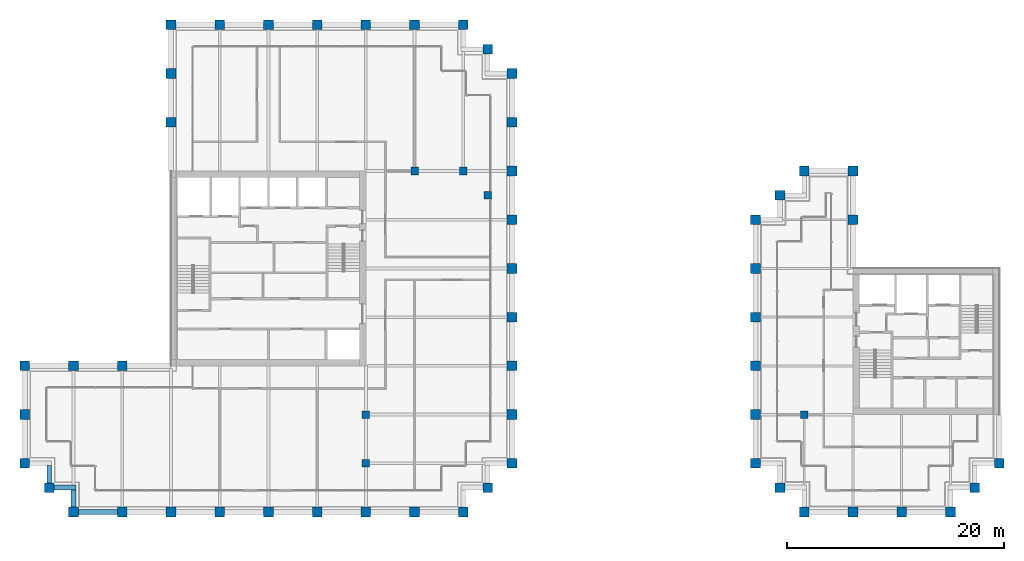
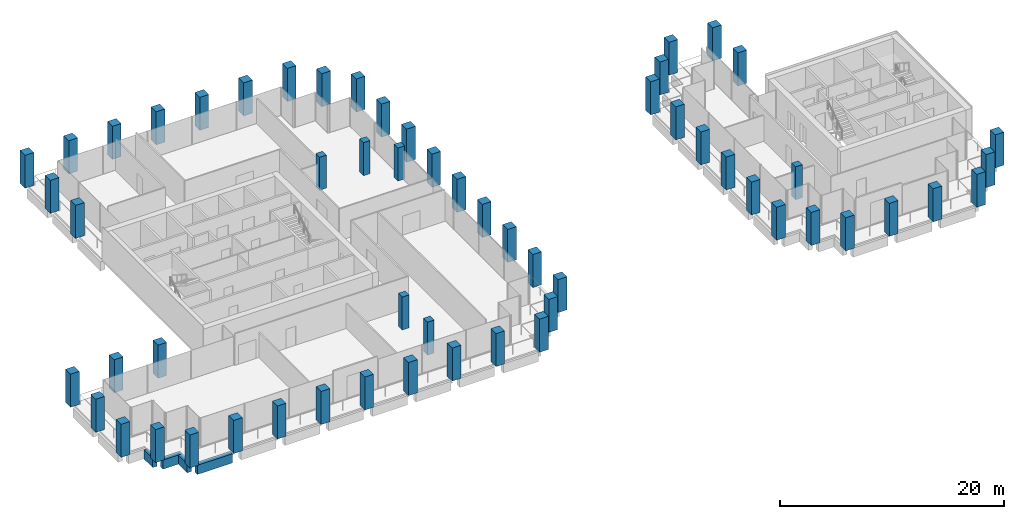
# One storey, part 1 of 40: 58 columns, 4 beams.
"""IFC4 building model written with IfcOpenShell, lengths in metres."""

from ifc_helpers import new_model, si_unit, direction, frame, origin, origin_2d, place, context, subcontext, project, spatial, rectangle, extrude, material, material_profile, profile_set, type_object, element, save


model = new_model("IFC4")

# Units and contexts
model_context = context("Model", 3, precision=1e-05, world=origin(), true_north=direction((0.0, 1.0)))
body_context = subcontext(model_context, "Body", "Model", "MODEL_VIEW")
ifc_project = project(units=[si_unit("LENGTHUNIT", "METRE"), si_unit("AREAUNIT", "SQUARE_METRE"), si_unit("VOLUMEUNIT", "CUBIC_METRE"), si_unit("PLANEANGLEUNIT", "RADIAN"), si_unit("MASSUNIT", "GRAM", prefix="KILO")], contexts=[model_context])

# Site, building, storey
site_placement = place(None, origin())
site = spatial("IfcSite", under=ifc_project, at=site_placement, CompositionType="ELEMENT")
building_placement = place(site_placement, origin())
building = spatial("IfcBuilding", under=site, at=building_placement, Name="Altepetl Exchange Towers", CompositionType="ELEMENT")
storey_placement = place(building_placement, frame((0.0, 0.0, 158.199951171875)))
storey = spatial("IfcBuildingStorey", under=building, at=storey_placement, Name="L39", CompositionType="ELEMENT", Elevation=158.199951171875)

# Columns
ifc_material_1 = material(Name="Concrete C70/85", Category="concrete")
ifc_material_profile_1 = material_profile(ifc_material_1, rectangle(XDim=0.699951171875, YDim=0.699951171875, at=origin_2d()), Name="700 x 700")
ifc_profile_set_1 = profile_set([ifc_material_profile_1], Name="Concrete C70/85")
column_type_1 = type_object("IfcColumnType", Name="Interior column 700", PredefinedType="COLUMN", material=ifc_profile_set_1)
for number, where, name in (
    (1, (58.5, 31.5, 0.0), "col:A:L39:035"),
    (2, (58.5, 36.0, 0.0), "col:A:L39:036"),
    (3, (63.0, 58.5, 0.0), "col:A:L39:037"),
    (4, (67.5, 58.5, 0.0), "col:A:L39:038"),
    (5, (69.75, 56.25, 0.0), "col:A:L39:039"),
    (6, (99.0, 36.0, 0.0), "col:B:L39:017"),
):
    element("IfcColumn", number, at=place(storey_placement, frame(where)), inside=storey, type_object=column_type_1, Name=name, PredefinedType="COLUMN", context=body_context, shape_type="SweptSolid", body=[
        extrude(rectangle(XDim=0.699951171875, YDim=0.699951171875, at=origin_2d()), origin(), (0.0, 0.0, 1.0), 3.60009765625),
    ])
ifc_material_2 = material(Name="Concrete C70/85 precast with cantera amarilla facing", Category="concrete")
ifc_material_profile_2 = material_profile(ifc_material_2, rectangle(XDim=0.89990234375, YDim=0.89990234375, at=origin_2d()), Name="900 x 900")
ifc_profile_set_2 = profile_set([ifc_material_profile_2], Name="Concrete C70/85 precast with cantera amarilla facing")
column_type_2 = type_object("IfcColumnType", Name="Perimeter column 900 cantera amarilla", PredefinedType="COLUMN", material=ifc_profile_set_2)
for number, where, name in (
    (7, (58.5, 27.0, 0.0), "col:A:L39:006"),
    (8, (63.0, 27.0, 0.0), "col:A:L39:007"),
    (9, (67.5, 27.0, 0.0), "col:A:L39:008"),
    (10, (69.75, 29.25, 0.0), "col:A:L39:009"),
    (11, (72.0, 31.5, 0.0), "col:A:L39:010"),
    (12, (72.0, 36.0, 0.0), "col:A:L39:011"),
    (13, (72.0, 40.5, 0.0), "col:A:L39:012"),
    (14, (72.0, 45.0, 0.0), "col:A:L39:013"),
    (15, (72.0, 49.5, 0.0), "col:A:L39:014"),
    (16, (72.0, 54.0, 0.0), "col:A:L39:015"),
):
    element("IfcColumn", number, at=place(storey_placement, frame(where)), inside=storey, type_object=column_type_2, Name=name, PredefinedType="COLUMN", context=body_context, shape_type="SweptSolid", body=[
        extrude(rectangle(XDim=0.89990234375, YDim=0.89990234375, at=origin_2d()), origin(), (0.0, 0.0, 1.0), 3.60009765625),
    ])
ifc_material_3 = material(Name="Concrete C70/85 precast with cantera blanca facing", Category="concrete")
ifc_material_profile_3 = material_profile(ifc_material_3, rectangle(XDim=0.89990234375, YDim=0.89990234375, at=origin_2d()), Name="900 x 900")
ifc_profile_set_3 = profile_set([ifc_material_profile_3], Name="Concrete C70/85 precast with cantera blanca facing")
column_type_3 = type_object("IfcColumnType", Name="Perimeter column 900 cantera blanca", PredefinedType="COLUMN", material=ifc_profile_set_3)
for number, where, name in (
    (17, (31.5, 27.0, 0.0), "col:A:L39:000"),
    (18, (36.0, 27.0, 0.0), "col:A:L39:001"),
    (19, (40.5, 27.0, 0.0), "col:A:L39:002"),
    (20, (45.0, 27.0, 0.0), "col:A:L39:003"),
    (21, (49.5, 27.0, 0.0), "col:A:L39:004"),
    (22, (54.0, 27.0, 0.0), "col:A:L39:005"),
    (23, (27.0, 36.0, 0.0), "col:A:L39:032"),
    (24, (27.0, 31.5, 0.0), "col:A:L39:033"),
    (25, (29.25, 29.25, 0.0), "col:A:L39:034"),
    (26, (117.0, 31.5, 0.0), "col:B:L39:005"),
):
    element("IfcColumn", number, at=place(storey_placement, frame(where)), inside=storey, type_object=column_type_3, Name=name, PredefinedType="COLUMN", context=body_context, shape_type="SweptSolid", body=[
        extrude(rectangle(XDim=0.89990234375, YDim=0.89990234375, at=origin_2d()), origin(), (0.0, 0.0, 1.0), 3.60009765625),
    ])
ifc_material_4 = material(Name="Concrete C70/85 precast with cantera rosa facing", Category="concrete")
ifc_material_profile_4 = material_profile(ifc_material_4, rectangle(XDim=0.89990234375, YDim=0.89990234375, at=origin_2d()), Name="900 x 900")
ifc_profile_set_4 = profile_set([ifc_material_profile_4], Name="Concrete C70/85 precast with cantera rosa facing")
column_type_4 = type_object("IfcColumnType", Name="Perimeter column 900 cantera rosa", PredefinedType="COLUMN", material=ifc_profile_set_4)
for number, where, name in (
    (27, (72.0, 58.5, 0.0), "col:A:L39:016"),
    (28, (72.0, 63.0, 0.0), "col:A:L39:017"),
    (29, (72.0, 67.5, 0.0), "col:A:L39:018"),
    (30, (69.75, 69.75, 0.0), "col:A:L39:019"),
    (31, (67.5, 72.0, 0.0), "col:A:L39:020"),
    (32, (63.0, 72.0, 0.0), "col:A:L39:021"),
    (33, (58.5, 72.0, 0.0), "col:A:L39:022"),
    (34, (54.0, 72.0, 0.0), "col:A:L39:023"),
    (35, (49.5, 72.0, 0.0), "col:A:L39:024"),
    (36, (45.0, 72.0, 0.0), "col:A:L39:025"),
    (37, (103.5, 54.0, 0.0), "col:B:L39:006"),
    (38, (103.5, 58.5, 0.0), "col:B:L39:007"),
    (39, (99.0, 58.5, 0.0), "col:B:L39:008"),
    (40, (96.75, 56.25, 0.0), "col:B:L39:009"),
    (41, (94.5, 54.0, 0.0), "col:B:L39:010"),
    (42, (94.5, 49.5, 0.0), "col:B:L39:011"),
    (43, (94.5, 45.0, 0.0), "col:B:L39:012"),
    (44, (94.5, 40.5, 0.0), "col:B:L39:013"),
    (45, (94.5, 36.0, 0.0), "col:B:L39:014"),
):
    element("IfcColumn", number, at=place(storey_placement, frame(where)), inside=storey, type_object=column_type_4, Name=name, PredefinedType="COLUMN", context=body_context, shape_type="SweptSolid", body=[
        extrude(rectangle(XDim=0.89990234375, YDim=0.89990234375, at=origin_2d()), origin(), (0.0, 0.0, 1.0), 3.60009765625),
    ])
ifc_material_5 = material(Name="Concrete C70/85 precast with tezontle facing", Category="concrete")
ifc_material_profile_5 = material_profile(ifc_material_5, rectangle(XDim=0.89990234375, YDim=0.89990234375, at=origin_2d()), Name="900 x 900")
ifc_profile_set_5 = profile_set([ifc_material_profile_5], Name="Concrete C70/85 precast with tezontle facing")
column_type_5 = type_object("IfcColumnType", Name="Perimeter column 900 tezontle", PredefinedType="COLUMN", material=ifc_profile_set_5)
for number, where, name in (
    (46, (40.5, 72.0, 0.0), "col:A:L39:026"),
    (47, (40.5, 67.5, 0.0), "col:A:L39:027"),
    (48, (40.5, 63.0, 0.0), "col:A:L39:028"),
    (49, (36.0, 40.5, 0.0), "col:A:L39:029"),
    (50, (31.5, 40.5, 0.0), "col:A:L39:030"),
    (51, (27.0, 40.5, 0.0), "col:A:L39:031"),
    (52, (99.0, 27.0, 0.0), "col:B:L39:000"),
    (53, (103.5, 27.0, 0.0), "col:B:L39:001"),
    (54, (108.0, 27.0, 0.0), "col:B:L39:002"),
    (55, (112.5, 27.0, 0.0), "col:B:L39:003"),
    (56, (114.75, 29.25, 0.0), "col:B:L39:004"),
    (57, (94.5, 31.5, 0.0), "col:B:L39:015"),
    (58, (96.75, 29.25, 0.0), "col:B:L39:016"),
):
    element("IfcColumn", number, at=place(storey_placement, frame(where)), inside=storey, type_object=column_type_5, Name=name, PredefinedType="COLUMN", context=body_context, shape_type="SweptSolid", body=[
        extrude(rectangle(XDim=0.89990234375, YDim=0.89990234375, at=origin_2d()), origin(), (0.0, 0.0, 1.0), 3.60009765625),
    ])

# Beams
ifc_material_6 = material(Name="Concrete C50/60 precast with cantera blanca facing", Category="concrete")
ifc_material_profile_6 = material_profile(ifc_material_6, rectangle(XDim=0.449951171875, YDim=1.0, at=origin_2d()), Name="450 x 1000")
ifc_profile_set_6 = profile_set([ifc_material_profile_6], Name="Concrete C50/60 precast with cantera blanca facing")
beam_type = type_object("IfcBeamType", Name="Spandrel beam 450x1000 cantera blanca", PredefinedType="SPANDREL", material=ifc_profile_set_6)
beam_1_placement = place(storey_placement, frame((31.949951171875, 27.0, -0.64990234375), z_axis=(1.0, 0.0, 0.0), x_axis=(0.0, 1.0, 0.0)))
element("IfcBeam", 59, at=beam_1_placement, inside=storey, type_object=beam_type, Name="sp:A:L39:000", PredefinedType="SPANDREL", context=body_context, shape_type="SweptSolid", body=[
    extrude(rectangle(XDim=0.449951171875, YDim=1.0, at=origin_2d()), origin(), (0.0, 0.0, 1.0), 3.60009765625),
])
beam_2_placement = place(storey_placement, frame((29.25, 31.27490234375, -0.64990234375), z_axis=(0.0, -1.0, 0.0), x_axis=(1.0, 0.0, 0.0)))
element("IfcBeam", 60, at=beam_2_placement, inside=storey, type_object=beam_type, Name="sp:A:L39:039", PredefinedType="SPANDREL", context=body_context, shape_type="SweptSolid", body=[
    extrude(rectangle(XDim=0.449951171875, YDim=1.0, at=origin_2d()), origin(), (0.0, 0.0, 1.0), 1.574951171875),
])
beam_3_placement = place(storey_placement, frame((29.699951171875, 29.25, -0.64990234375), z_axis=(1.0, 0.0, 0.0), x_axis=(0.0, 1.0, 0.0)))
element("IfcBeam", 61, at=beam_3_placement, inside=storey, type_object=beam_type, Name="sp:A:L39:040", PredefinedType="SPANDREL", context=body_context, shape_type="SweptSolid", body=[
    extrude(rectangle(XDim=0.449951171875, YDim=1.0, at=origin_2d()), origin(), (0.0, 0.0, 1.0), 2.025146484375),
])
beam_4_placement = place(storey_placement, frame((31.5, 29.02490234375, -0.64990234375), z_axis=(0.0, -1.0, 0.0), x_axis=(1.0, 0.0, 0.0)))
element("IfcBeam", 62, at=beam_4_placement, inside=storey, type_object=beam_type, Name="sp:A:L39:041", PredefinedType="SPANDREL", context=body_context, shape_type="SweptSolid", body=[
    extrude(rectangle(XDim=0.449951171875, YDim=1.0, at=origin_2d()), origin(), (0.0, 0.0, 1.0), 1.574951171875),
])

save(model, "model.ifc")
